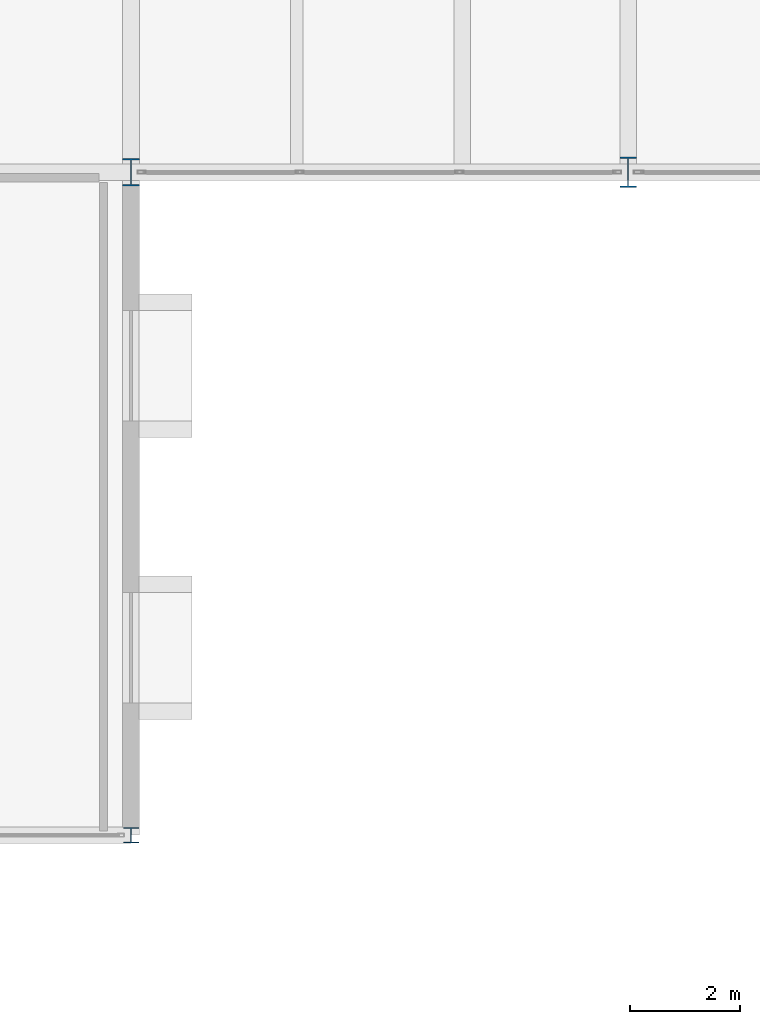
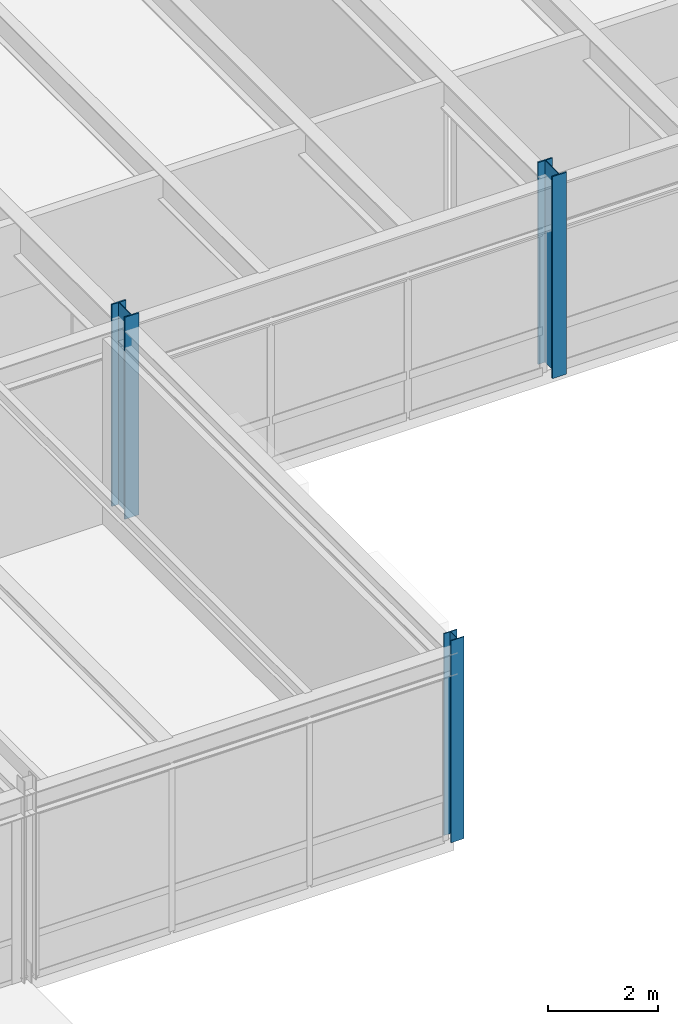
# One storey, part 7 of 142: 3 columns.
"""IFC4 building model written with IfcOpenShell, lengths in metres."""

from ifc_helpers import new_model, si_unit, direction, frame, origin, origin_2d, place, context, subcontext, project, spatial, i_section, extrude, material, material_profile, profile_set, type_object, element, save


model = new_model("IFC4")

# Units and contexts
model_context = context("Model", 3, precision=1e-05, world=origin(), true_north=direction((0.0, 1.0)))
body_context = subcontext(model_context, "Body", "Model", "MODEL_VIEW")
ifc_project = project(units=[si_unit("LENGTHUNIT", "METRE"), si_unit("AREAUNIT", "SQUARE_METRE"), si_unit("VOLUMEUNIT", "CUBIC_METRE"), si_unit("PLANEANGLEUNIT", "RADIAN"), si_unit("MASSUNIT", "GRAM", prefix="KILO")], contexts=[model_context])

# Site, building, storey
site_placement = place(None, origin())
site = spatial("IfcSite", under=ifc_project, at=site_placement, CompositionType="ELEMENT")
building_placement = place(site_placement, origin())
building = spatial("IfcBuilding", under=site, at=building_placement, Name="Montelvaro Courts of Justice", CompositionType="ELEMENT")
storey_placement = place(building_placement, frame((0.0, 0.0, 14.39990234375)))
storey = spatial("IfcBuildingStorey", under=building, at=storey_placement, Name="L03", CompositionType="ELEMENT", Elevation=14.39990234375)

# Columns
ifc_material = material(Name="Steel S355", Category="steel")
ifc_material_profile_1 = material_profile(ifc_material, i_section(OverallWidth=0.280029296875, OverallDepth=0.280029296875, WebThickness=0.010498046875, FlangeThickness=0.01806640625, at=origin_2d()), Name="HEB 280")
ifc_profile_set_1 = profile_set([ifc_material_profile_1], Name="Steel S355")
column_type_1 = type_object("IfcColumnType", Name="Col_HEB280", PredefinedType="COLUMN", material=ifc_profile_set_1)
column_1_placement = place(storey_placement, frame((135.0, 66.0, 0.0), z_axis=(0.0, 0.0, 1.0), x_axis=(1.0, 0.0, 0.0)))
element("IfcColumn", 1, at=column_1_placement, inside=storey, type_object=column_type_1, Name="Column C-02 L03 16/F", PredefinedType="COLUMN", context=body_context, shape_type="SweptSolid", body=[
    extrude(i_section(OverallWidth=0.280029296875, OverallDepth=0.280029296875, WebThickness=0.010498046875, FlangeThickness=0.01806640625, at=origin_2d()), origin(), (0.0, 0.0, 1.0), 4.5),
])
ifc_material_profile_2 = material_profile(ifc_material, i_section(OverallWidth=0.300048828125, OverallDepth=0.5, WebThickness=0.014404296875, FlangeThickness=0.028076171875, at=origin_2d()), Name="HEB 500")
ifc_profile_set_2 = profile_set([ifc_material_profile_2], Name="Steel S355")
column_type_2 = type_object("IfcColumnType", Name="Col_HEB500", PredefinedType="COLUMN", material=ifc_profile_set_2)
column_2_placement = place(storey_placement, frame((135.0, 78.0, 0.0), z_axis=(0.0, 0.0, 1.0), x_axis=(1.0, 0.0, 0.0)))
element("IfcColumn", 2, at=column_2_placement, inside=storey, type_object=column_type_2, Name="Column C-09 L03 16/G", PredefinedType="COLUMN", context=body_context, shape_type="SweptSolid", body=[
    extrude(i_section(OverallWidth=0.300048828125, OverallDepth=0.5, WebThickness=0.014404296875, FlangeThickness=0.028076171875, at=origin_2d()), origin(), (0.0, 0.0, 1.0), 4.5),
])
ifc_material_profile_3 = material_profile(ifc_material, i_section(OverallWidth=0.300048828125, OverallDepth=0.550048828125, WebThickness=0.014892578125, FlangeThickness=0.029052734375, at=origin_2d()), Name="HEB 550")
ifc_profile_set_3 = profile_set([ifc_material_profile_3], Name="Steel S355")
column_type_3 = type_object("IfcColumnType", Name="Col_HEB550", PredefinedType="COLUMN", material=ifc_profile_set_3)
column_3_placement = place(storey_placement, frame((144.0, 78.0, 0.0), z_axis=(0.0, 0.0, 1.0), x_axis=(1.0, 0.0, 0.0)))
element("IfcColumn", 3, at=column_3_placement, inside=storey, type_object=column_type_3, Name="Column C-10 L03 17/G", PredefinedType="COLUMN", context=body_context, shape_type="SweptSolid", body=[
    extrude(i_section(OverallWidth=0.300048828125, OverallDepth=0.550048828125, WebThickness=0.014892578125, FlangeThickness=0.029052734375, at=origin_2d()), origin(), (0.0, 0.0, 1.0), 4.5),
])

save(model, "model.ifc")
